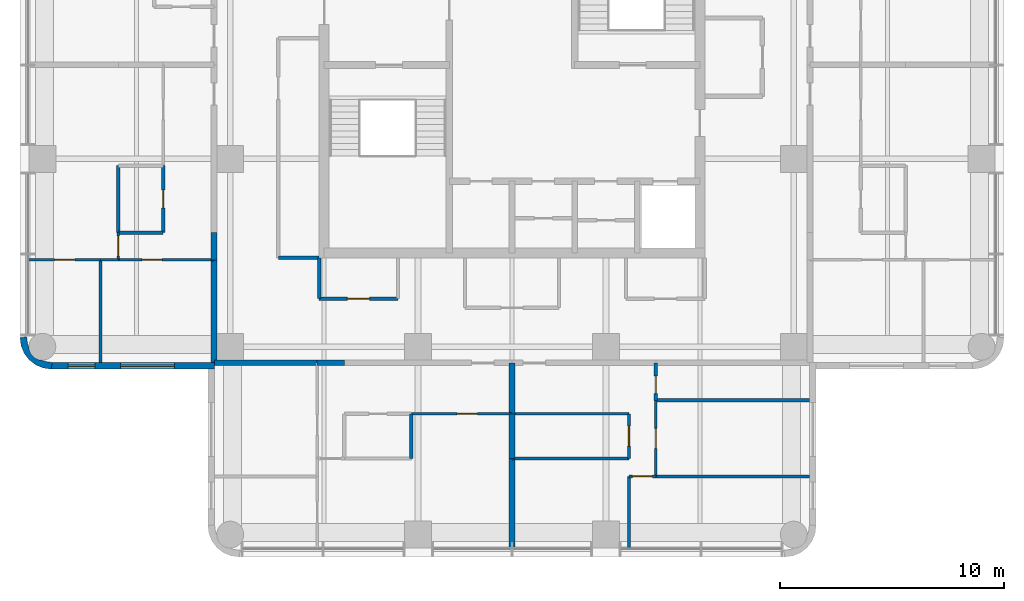
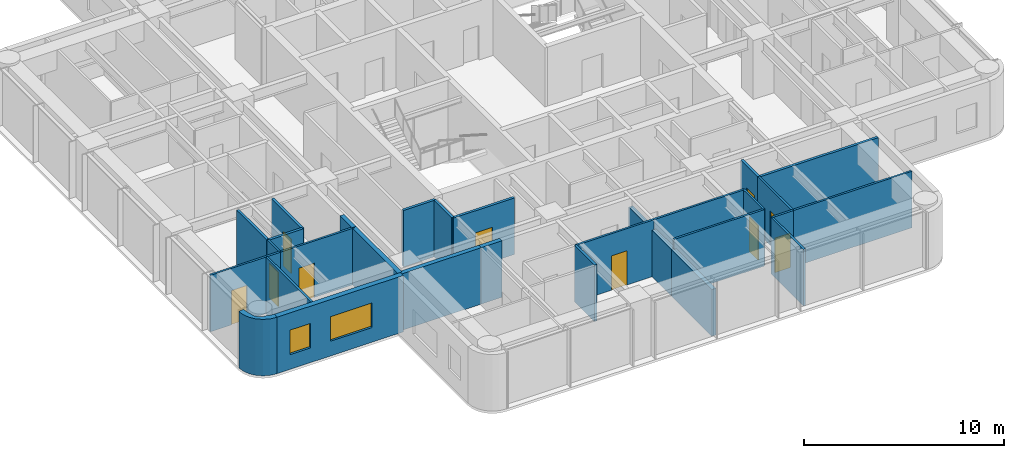
# One storey, part 4 of 10: 31 walls, 10 doors, 2 windows, 12 openings.
"""IFC4 building model written with IfcOpenShell, lengths in metres."""

from ifc_helpers import new_model, si_unit, direction, frame, frame_2d, origin, place, context, subcontext, project, spatial, polyline, rectangle, outline, extrude, material, layer, layer_set, type_object, element, fill, save


model = new_model("IFC4")

# Units and contexts
model_context = context("Model", 3, precision=1e-05, world=origin(), true_north=direction((0.0, 1.0)))
body_context = subcontext(model_context, "Body", "Model", "MODEL_VIEW")
ifc_project = project(units=[si_unit("LENGTHUNIT", "METRE"), si_unit("AREAUNIT", "SQUARE_METRE"), si_unit("VOLUMEUNIT", "CUBIC_METRE"), si_unit("PLANEANGLEUNIT", "RADIAN"), si_unit("MASSUNIT", "GRAM", prefix="KILO")], contexts=[model_context])

# Site, building, storey
site_placement = place(None, origin())
site = spatial("IfcSite", under=ifc_project, at=site_placement, CompositionType="ELEMENT")
building_placement = place(site_placement, origin())
building = spatial("IfcBuilding", under=site, at=building_placement, Name="Torre Alcanfor", CompositionType="ELEMENT")
storey_placement = place(building_placement, frame((0.0, 0.0, 293.699951171875)))
storey = spatial("IfcBuildingStorey", under=building, at=storey_placement, Name="L77", CompositionType="ELEMENT", Elevation=293.699951171875)

# Walls
ifc_material_1 = material(Name="Concrete block masonry, hollow blocks NMX-C-404 9 MPa", Category="masonry")
ifc_layer_1 = layer(ifc_material_1, 0.25)
ifc_layer_set_1 = layer_set([ifc_layer_1], Name="Apartment entrance wall 250 EI 60")
wall_type_1 = type_object("IfcWallType", Name="Apartment entrance wall 250 EI 60", PredefinedType="PARTITIONING", material=ifc_layer_set_1)
wall_1_placement = place(storey_placement, frame((21.89990234375, 16.074951171875, 0.0), z_axis=(0.0, 0.0, 1.0), x_axis=(-1.0, 0.0, 0.0)))
element("IfcWall", 1, at=wall_1_placement, inside=storey, type_object=wall_type_1, Name="Partition L77-CORR / L77-S2-HALL", PredefinedType="PARTITIONING", context=body_context, shape_type="SweptSolid", body=[
    extrude(rectangle(XDim=1.2138671875, YDim=0.25, at=frame_2d((0.60693359375, 0.0))), origin(), (0.0, 0.0, 1.0), 3.449951171875),
])
wall_2_placement = place(storey_placement, frame((20.68603515625, 16.074951171875, 0.0), z_axis=(0.0, 0.0, 1.0), x_axis=(-1.0, 0.0, 0.0)))
element("IfcWall", 2, at=wall_2_placement, inside=storey, type_object=wall_type_1, Name="Partition L77-CORR / L77-S2-MASTER", PredefinedType="PARTITIONING", context=body_context, shape_type="SweptSolid", body=[
    extrude(rectangle(XDim=4.5859375, YDim=0.25, at=frame_2d((2.29296875, 0.0))), origin(), (0.0, 0.0, 1.0), 3.449951171875),
])
wall_3_placement = place(storey_placement, frame((16.074951171875, 20.68603515625, 0.0), z_axis=(0.0, 0.0, 1.0), x_axis=(0.0, 1.0, 0.0)))
element("IfcWall", 3, at=wall_3_placement, inside=storey, type_object=wall_type_1, Name="Partition L77-CORR / L77-W1-HALL", PredefinedType="PARTITIONING", context=body_context, shape_type="SweptSolid", body=[
    extrude(rectangle(XDim=1.2138671875, YDim=0.25, at=frame_2d((0.60693359375, 0.0))), origin(), (0.0, 0.0, 1.0), 3.449951171875),
])
wall_4_placement = place(storey_placement, frame((16.074951171875, 16.10009765625, 0.0), z_axis=(0.0, 0.0, 1.0), x_axis=(0.0, 1.0, 0.0)))
element("IfcWall", 4, at=wall_4_placement, inside=storey, type_object=wall_type_1, Name="Partition L77-CORR / L77-W1-MASTER", PredefinedType="PARTITIONING", context=body_context, shape_type="SweptSolid", body=[
    extrude(rectangle(XDim=4.5859375, YDim=0.25, at=frame_2d((2.29296875, 0.0))), origin(), (0.0, 0.0, 1.0), 3.449951171875),
])
ifc_material_2 = material(Name="Gypsum board on steel studs", Category="steel")
ifc_layer_2 = layer(ifc_material_2, 0.1201171875)
ifc_layer_set_2 = layer_set([ifc_layer_2], Name="Apartment partition 120")
wall_type_2 = type_object("IfcWallType", Name="Apartment partition 120", PredefinedType="PARTITIONING", material=ifc_layer_set_2)
wall_5_placement = place(storey_placement, frame((29.39990234375, 11.800048828125, 0.0), z_axis=(0.0, 0.0, 1.0), x_axis=(1.0, 0.0, 0.0)))
element("IfcWall", 5, at=wall_5_placement, inside=storey, type_object=wall_type_2, Name="Partition L77-S1-KITCHEN / L77-S1-LIVING", PredefinedType="PARTITIONING", context=body_context, shape_type="SweptSolid", body=[
    extrude(rectangle(XDim=5.22900390625, YDim=0.1201171875, at=frame_2d((2.614501953125, 0.0))), origin(), (0.0, 0.0, 1.0), 3.449951171875),
])

# Wall, opening, door
wall_6_placement = place(storey_placement, frame((34.62890625, 11.800048828125, 0.0), z_axis=(0.0, 0.0, 1.0), x_axis=(0.0, 1.0, 0.0)))
wall_6 = element("IfcWall", 6, at=wall_6_placement, inside=storey, type_object=wall_type_2, Name="Partition L77-S1-KITCHEN / L77-S1-LIVING", PredefinedType="PARTITIONING", context=body_context, shape_type="SweptSolid", body=[
    extrude(rectangle(XDim=2.0, YDim=0.1201171875, at=frame_2d((1.0, 0.0))), origin(), (0.0, 0.0, 1.0), 3.449951171875),
])
opening_1_placement = place(wall_6_placement, frame((0.550048828125, 0.0, 0.0)))
opening_1 = element("IfcOpeningElement", 7, at=opening_1_placement, cuts=wall_6, Name="Opening D-R1", PredefinedType="OPENING", context=body_context, shape_type="SweptSolid", body=[
    extrude(rectangle(XDim=0.89990234375, YDim=2.10009765625, at=frame_2d((0.449951171875, 1.050048828125))), frame((0.0, 0.070068359375, 0.0), z_axis=(0.0, -1.0, 0.0), x_axis=(1.0, 0.0, 0.0)), (0.0, 0.0, 1.0), 0.14013671875),
])
ifc_material_3 = material(Name="Timber", Category="wood")
door_type_1 = type_object("IfcDoorType", Name="Internal door 900x2100", OperationType="SINGLE_SWING_LEFT", PredefinedType="DOOR", material=ifc_material_3)
door_1_placement = place(opening_1_placement, origin())
door_1 = element("IfcDoor", 8, at=door_1_placement, inside=storey, type_object=door_type_1, Name="Door L77-S1 kitchen", OperationType="SINGLE_SWING_LEFT", OverallHeight=2.10009765625, OverallWidth=0.89990234375, PredefinedType="DOOR", context=body_context, shape_type="SweptSolid", body=[
    extrude(rectangle(XDim=0.89990234375, YDim=2.10009765625, at=frame_2d((0.449951171875, 1.050048828125))), frame((0.0, 0.02490234375, 0.0), z_axis=(0.0, -1.0, 0.0), x_axis=(1.0, 0.0, 0.0)), (0.0, 0.0, 1.0), 0.050048828125),
])
fill(opening_1, door_1)

# Wall
wall_7_placement = place(storey_placement, frame((34.62890625, 13.800048828125, 0.0), z_axis=(0.0, 0.0, 1.0), x_axis=(-1.0, 0.0, 0.0)))
element("IfcWall", 9, at=wall_7_placement, inside=storey, type_object=wall_type_2, Name="Partition L77-S1-KITCHEN / L77-S1-LIVING", PredefinedType="PARTITIONING", context=body_context, shape_type="SweptSolid", body=[
    extrude(rectangle(XDim=5.22900390625, YDim=0.1201171875, at=frame_2d((2.614501953125, 0.0))), origin(), (0.0, 0.0, 1.0), 3.449951171875),
])

# Wall, opening, door
wall_8_placement = place(storey_placement, frame((35.8291015625, 14.39990234375, 0.0), z_axis=(0.0, 0.0, 1.0), x_axis=(0.0, -1.0, 0.0)))
wall_8 = element("IfcWall", 10, at=wall_8_placement, inside=storey, type_object=wall_type_2, Name="Partition L77-S1-LIVING / L77-S1-STUDY", PredefinedType="PARTITIONING", context=body_context, shape_type="SweptSolid", body=[
    extrude(rectangle(XDim=3.39990234375, YDim=0.1201171875, at=frame_2d((1.699951171875, 0.0))), origin(), (0.0, 0.0, 1.0), 3.449951171875),
])
opening_2_placement = place(wall_8_placement, frame((1.25, 0.0, 0.0)))
opening_2 = element("IfcOpeningElement", 11, at=opening_2_placement, cuts=wall_8, Name="Opening D-R1", PredefinedType="OPENING", context=body_context, shape_type="SweptSolid", body=[
    extrude(rectangle(XDim=0.89990234375, YDim=2.10009765625, at=frame_2d((0.449951171875, 1.050048828125))), frame((0.0, 0.070068359375, 0.0), z_axis=(0.0, -1.0, 0.0), x_axis=(1.0, 0.0, 0.0)), (0.0, 0.0, 1.0), 0.14013671875),
])
door_2_placement = place(opening_2_placement, origin())
door_2 = element("IfcDoor", 12, at=door_2_placement, inside=storey, type_object=door_type_1, Name="Door L77-S1 study", OperationType="SINGLE_SWING_LEFT", OverallHeight=2.10009765625, OverallWidth=0.89990234375, PredefinedType="DOOR", context=body_context, shape_type="SweptSolid", body=[
    extrude(rectangle(XDim=0.89990234375, YDim=2.10009765625, at=frame_2d((0.449951171875, 1.050048828125))), frame((0.0, 0.02490234375, 0.0), z_axis=(0.0, -1.0, 0.0), x_axis=(1.0, 0.0, 0.0)), (0.0, 0.0, 1.0), 0.050048828125),
])
fill(opening_2, door_2)

wall_9_placement = place(storey_placement, frame((35.8291015625, 11.0, 0.0), z_axis=(0.0, 0.0, 1.0), x_axis=(-1.0, 0.0, 0.0)))
wall_9 = element("IfcWall", 13, at=wall_9_placement, inside=storey, type_object=wall_type_2, Name="Partition L77-S1-LIVING / L77-S1-MASTER", PredefinedType="PARTITIONING", context=body_context, shape_type="SweptSolid", body=[
    extrude(rectangle(XDim=1.2001953125, YDim=0.1201171875, at=frame_2d((0.60009765625, 0.0))), origin(), (0.0, 0.0, 1.0), 3.449951171875),
])
opening_3_placement = place(wall_9_placement, frame((0.14892578125, 0.0, 0.0)))
opening_3 = element("IfcOpeningElement", 14, at=opening_3_placement, cuts=wall_9, Name="Opening D-R1", PredefinedType="OPENING", context=body_context, shape_type="SweptSolid", body=[
    extrude(rectangle(XDim=0.89990234375, YDim=2.10009765625, at=frame_2d((0.449951171875, 1.050048828125))), frame((0.0, 0.070068359375, 0.0), z_axis=(0.0, -1.0, 0.0), x_axis=(1.0, 0.0, 0.0)), (0.0, 0.0, 1.0), 0.14013671875),
])
door_3_placement = place(opening_3_placement, origin())
door_3 = element("IfcDoor", 15, at=door_3_placement, inside=storey, type_object=door_type_1, Name="Door L77-S1 master", OperationType="SINGLE_SWING_RIGHT", OverallHeight=2.10009765625, OverallWidth=0.89990234375, PredefinedType="DOOR", context=body_context, shape_type="SweptSolid", body=[
    extrude(rectangle(XDim=0.89990234375, YDim=2.10009765625, at=frame_2d((0.449951171875, 1.050048828125))), frame((0.0, 0.02490234375, 0.0), z_axis=(0.0, -1.0, 0.0), x_axis=(1.0, 0.0, 0.0)), (0.0, 0.0, 1.0), 0.050048828125),
])
fill(opening_3, door_3)

# Walls
wall_10_placement = place(storey_placement, frame((34.62890625, 11.0, 0.0), z_axis=(0.0, 0.0, 1.0), x_axis=(0.0, -1.0, 0.0)))
element("IfcWall", 16, at=wall_10_placement, inside=storey, type_object=wall_type_2, Name="Partition L77-S1-LIVING / L77-S1-MASTER", PredefinedType="PARTITIONING", context=body_context, shape_type="SweptSolid", body=[
    extrude(rectangle(XDim=3.25, YDim=0.1201171875, at=frame_2d((1.625, 0.0))), origin(), (0.0, 0.0, 1.0), 3.449951171875),
])
wall_11_placement = place(storey_placement, frame((35.8291015625, 11.0, 0.0), z_axis=(0.0, 0.0, 1.0), x_axis=(1.0, 0.0, 0.0)))
element("IfcWall", 17, at=wall_11_placement, inside=storey, type_object=wall_type_2, Name="Partition L77-S1-STUDY / L77-S1-MASTER", PredefinedType="PARTITIONING", context=body_context, shape_type="SweptSolid", body=[
    extrude(rectangle(XDim=6.870849609375, YDim=0.1201171875, at=frame_2d((3.435546875, 0.0))), origin(), (0.0, 0.0, 1.0), 3.449951171875),
])

# Wall, opening, door
wall_12_placement = place(storey_placement, frame((29.39990234375, 13.800048828125, 0.0), z_axis=(0.0, 0.0, 1.0), x_axis=(-1.0, 0.0, 0.0)))
wall_12 = element("IfcWall", 18, at=wall_12_placement, inside=storey, type_object=wall_type_2, Name="Partition L77-S2-ZAG / L77-S2-KITCHEN", PredefinedType="PARTITIONING", context=body_context, shape_type="SweptSolid", body=[
    extrude(rectangle(XDim=4.5, YDim=0.1201171875, at=frame_2d((2.25, 0.0))), origin(), (0.0, 0.0, 1.0), 3.449951171875),
])
opening_4_placement = place(wall_12_placement, frame((1.550048828125, 0.0, 0.0)))
opening_4 = element("IfcOpeningElement", 19, at=opening_4_placement, cuts=wall_12, Name="Opening D-R1", PredefinedType="OPENING", context=body_context, shape_type="SweptSolid", body=[
    extrude(rectangle(XDim=0.89990234375, YDim=2.10009765625, at=frame_2d((0.449951171875, 1.050048828125))), frame((0.0, 0.070068359375, 0.0), z_axis=(0.0, -1.0, 0.0), x_axis=(1.0, 0.0, 0.0)), (0.0, 0.0, 1.0), 0.14013671875),
])
door_4_placement = place(opening_4_placement, origin())
door_4 = element("IfcDoor", 20, at=door_4_placement, inside=storey, type_object=door_type_1, Name="Door L77-S2 kitchen", OperationType="SINGLE_SWING_LEFT", OverallHeight=2.10009765625, OverallWidth=0.89990234375, PredefinedType="DOOR", context=body_context, shape_type="SweptSolid", body=[
    extrude(rectangle(XDim=0.89990234375, YDim=2.10009765625, at=frame_2d((0.449951171875, 1.050048828125))), frame((0.0, 0.02490234375, 0.0), z_axis=(0.0, -1.0, 0.0), x_axis=(1.0, 0.0, 0.0)), (0.0, 0.0, 1.0), 0.050048828125),
])
fill(opening_4, door_4)

wall_13_placement = place(storey_placement, frame((11.800048828125, 21.89990234375, 0.0), z_axis=(0.0, 0.0, 1.0), x_axis=(0.0, -1.0, 0.0)))
wall_13 = element("IfcWall", 21, at=wall_13_placement, inside=storey, type_object=wall_type_2, Name="Partition L77-W1-HALL / L77-W1-LIVING", PredefinedType="PARTITIONING", context=body_context, shape_type="SweptSolid", body=[
    extrude(rectangle(XDim=1.2138671875, YDim=0.1201171875, at=frame_2d((0.60693359375, 0.0))), origin(), (0.0, 0.0, 1.0), 3.449951171875),
])
opening_5_placement = place(wall_13_placement, frame((0.14990234375, 0.0, 0.0)))
opening_5 = element("IfcOpeningElement", 22, at=opening_5_placement, cuts=wall_13, Name="Opening D-R1", PredefinedType="OPENING", context=body_context, shape_type="SweptSolid", body=[
    extrude(rectangle(XDim=0.89990234375, YDim=2.10009765625, at=frame_2d((0.449951171875, 1.050048828125))), frame((0.0, 0.070068359375, 0.0), z_axis=(0.0, -1.0, 0.0), x_axis=(1.0, 0.0, 0.0)), (0.0, 0.0, 1.0), 0.14013671875),
])
door_5_placement = place(opening_5_placement, frame((0.89990234375, 0.0, 0.0), z_axis=(0.0, 0.0, 1.0), x_axis=(-1.0, 0.0, 0.0)))
door_5 = element("IfcDoor", 23, at=door_5_placement, inside=storey, type_object=door_type_1, Name="Door L77-W1 living", OperationType="SINGLE_SWING_LEFT", OverallHeight=2.10009765625, OverallWidth=0.89990234375, PredefinedType="DOOR", context=body_context, shape_type="SweptSolid", body=[
    extrude(rectangle(XDim=0.89990234375, YDim=2.10009765625, at=frame_2d((0.449951171875, 1.050048828125))), frame((0.0, 0.025146484375, 0.0), z_axis=(0.0, -1.0, 0.0), x_axis=(1.0, 0.0, 0.0)), (0.0, 0.0, 1.0), 0.050048828125),
])
fill(opening_5, door_5)

wall_14_placement = place(storey_placement, frame((11.800048828125, 20.68603515625, 0.0), z_axis=(0.0, 0.0, 1.0), x_axis=(1.0, 0.0, 0.0)))
wall_14 = element("IfcWall", 24, at=wall_14_placement, inside=storey, type_object=wall_type_2, Name="Partition L77-W1-HALL / L77-W1-MASTER", PredefinedType="PARTITIONING", context=body_context, shape_type="SweptSolid", body=[
    extrude(rectangle(XDim=4.27490234375, YDim=0.1201171875, at=frame_2d((2.137451171875, 0.0))), origin(), (0.0, 0.0, 1.0), 3.449951171875),
])
opening_6_placement = place(wall_14_placement, frame((1.050048828125, 0.0, 0.0)))
opening_6 = element("IfcOpeningElement", 25, at=opening_6_placement, cuts=wall_14, Name="Opening D-R1", PredefinedType="OPENING", context=body_context, shape_type="SweptSolid", body=[
    extrude(rectangle(XDim=0.89990234375, YDim=2.10009765625, at=frame_2d((0.449951171875, 1.050048828125))), frame((0.0, 0.070068359375, 0.0), z_axis=(0.0, -1.0, 0.0), x_axis=(1.0, 0.0, 0.0)), (0.0, 0.0, 1.0), 0.14013671875),
])
door_6_placement = place(opening_6_placement, frame((0.89990234375, 0.0, 0.0), z_axis=(0.0, 0.0, 1.0), x_axis=(-1.0, 0.0, 0.0)))
door_6 = element("IfcDoor", 26, at=door_6_placement, inside=storey, type_object=door_type_1, Name="Door L77-W1 master", OperationType="SINGLE_SWING_RIGHT", OverallHeight=2.10009765625, OverallWidth=0.89990234375, PredefinedType="DOOR", context=body_context, shape_type="SweptSolid", body=[
    extrude(rectangle(XDim=0.89990234375, YDim=2.10009765625, at=frame_2d((0.449951171875, 1.050048828125))), frame((0.0, 0.025146484375, 0.0), z_axis=(0.0, -1.0, 0.0), x_axis=(1.0, 0.0, 0.0)), (0.0, 0.0, 1.0), 0.050048828125),
])
fill(opening_6, door_6)

# Wall
wall_15_placement = place(storey_placement, frame((11.0, 20.68603515625, 0.0), z_axis=(0.0, 0.0, 1.0), x_axis=(1.0, 0.0, 0.0)))
element("IfcWall", 27, at=wall_15_placement, inside=storey, type_object=wall_type_2, Name="Partition L77-W1-LIVING / L77-W1-MASTER", PredefinedType="PARTITIONING", context=body_context, shape_type="SweptSolid", body=[
    extrude(rectangle(XDim=0.800048828125, YDim=0.1201171875, at=frame_2d((0.39990234375, 0.0))), origin(), (0.0, 0.0, 1.0), 3.449951171875),
])

# Wall, opening, door
wall_16_placement = place(storey_placement, frame((7.75, 20.68603515625, 0.0), z_axis=(0.0, 0.0, 1.0), x_axis=(1.0, 0.0, 0.0)))
wall_16 = element("IfcWall", 28, at=wall_16_placement, inside=storey, type_object=wall_type_2, Name="Partition L77-W1-LIVING / L77-W1-BED2", PredefinedType="PARTITIONING", context=body_context, shape_type="SweptSolid", body=[
    extrude(rectangle(XDim=3.25, YDim=0.1201171875, at=frame_2d((1.625, 0.0))), origin(), (0.0, 0.0, 1.0), 3.449951171875),
])
opening_7_placement = place(wall_16_placement, frame((1.199951171875, 0.0, 0.0)))
opening_7 = element("IfcOpeningElement", 29, at=opening_7_placement, cuts=wall_16, Name="Opening D-R1", PredefinedType="OPENING", context=body_context, shape_type="SweptSolid", body=[
    extrude(rectangle(XDim=0.89990234375, YDim=2.10009765625, at=frame_2d((0.449951171875, 1.050048828125))), frame((0.0, 0.070068359375, 0.0), z_axis=(0.0, -1.0, 0.0), x_axis=(1.0, 0.0, 0.0)), (0.0, 0.0, 1.0), 0.14013671875),
])
door_7_placement = place(opening_7_placement, frame((0.89990234375, 0.0, 0.0), z_axis=(0.0, 0.0, 1.0), x_axis=(-1.0, 0.0, 0.0)))
door_7 = element("IfcDoor", 30, at=door_7_placement, inside=storey, type_object=door_type_1, Name="Door L77-W1 bed2", OperationType="SINGLE_SWING_LEFT", OverallHeight=2.10009765625, OverallWidth=0.89990234375, PredefinedType="DOOR", context=body_context, shape_type="SweptSolid", body=[
    extrude(rectangle(XDim=0.89990234375, YDim=2.10009765625, at=frame_2d((0.449951171875, 1.050048828125))), frame((0.0, 0.025146484375, 0.0), z_axis=(0.0, -1.0, 0.0), x_axis=(1.0, 0.0, 0.0)), (0.0, 0.0, 1.0), 0.050048828125),
])
fill(opening_7, door_7)

# Wall
wall_17_placement = place(storey_placement, frame((11.0, 20.68603515625, 0.0), z_axis=(0.0, 0.0, 1.0), x_axis=(0.0, -1.0, 0.0)))
element("IfcWall", 31, at=wall_17_placement, inside=storey, type_object=wall_type_2, Name="Partition L77-W1-MASTER / L77-W1-BED2", PredefinedType="PARTITIONING", context=body_context, shape_type="SweptSolid", body=[
    extrude(rectangle(XDim=4.5859375, YDim=0.1201171875, at=frame_2d((2.29296875, 0.0))), origin(), (0.0, 0.0, 1.0), 3.449951171875),
])

# Wall, openings, windows
ifc_material_4 = material(Name="Limestone cladding", Category="masonry")
ifc_layer_3 = layer(ifc_material_4, 0.0400390625, Name="Facing")
ifc_material_5 = material(Name="Ventilated air cavity")
ifc_layer_4 = layer(ifc_material_5, 0.02001953125, ventilated=True, Name="Ventilated joint")
ifc_material_6 = material(Name="Mineral wool insulation", Category="insulation")
ifc_layer_5 = layer(ifc_material_6, 0.10009765625, Name="Insulation")
ifc_material_7 = material(Name="Concrete f'c 35 MPa", Category="concrete")
ifc_layer_6 = layer(ifc_material_7, 0.139892578125, Name="Backing")
ifc_layer_set_3 = layer_set([ifc_layer_3, ifc_layer_4, ifc_layer_5, ifc_layer_6], Name="External wall stone-clad 300")
wall_type_3 = type_object("IfcWallType", Name="External wall stone-clad 300", PredefinedType="SOLIDWALL", material=ifc_layer_set_3)
wall_18_placement = place(storey_placement, frame((8.800048828125, 15.949951171875, 0.0), z_axis=(0.0, 0.0, 1.0), x_axis=(1.0, 0.0, 0.0)))
wall_18 = element("IfcWall", 32, at=wall_18_placement, inside=storey, type_object=wall_type_3, Name="External wall L77 3", PredefinedType="SOLIDWALL", context=body_context, shape_type="SweptSolid", body=[
    extrude(rectangle(XDim=7.300048828125, YDim=0.300048828125, at=frame_2d((3.64990234375, 0.0))), origin(), (0.0, 0.0, 1.0), 3.449951171875),
])
opening_8_placement = place(wall_18_placement, frame((3.10009765625, 0.0, 0.89990234375)))
opening_8 = element("IfcOpeningElement", 33, at=opening_8_placement, cuts=wall_18, Name="Opening W1", PredefinedType="OPENING", context=body_context, shape_type="SweptSolid", body=[
    extrude(rectangle(XDim=2.39990234375, YDim=1.5, at=frame_2d((1.199951171875, 0.75))), frame((0.0, 0.159912109375, 0.0), z_axis=(0.0, -1.0, 0.0), x_axis=(1.0, 0.0, 0.0)), (0.0, 0.0, 1.0), 0.320068359375),
])
opening_9_placement = place(wall_18_placement, frame((0.75, 0.0, 0.89990234375)))
opening_9 = element("IfcOpeningElement", 34, at=opening_9_placement, cuts=wall_18, Name="Opening W4", PredefinedType="OPENING", context=body_context, shape_type="SweptSolid", body=[
    extrude(rectangle(XDim=1.199951171875, YDim=1.5, at=frame_2d((0.60009765625, 0.75))), frame((0.0, 0.159912109375, 0.0), z_axis=(0.0, -1.0, 0.0), x_axis=(1.0, 0.0, 0.0)), (0.0, 0.0, 1.0), 0.320068359375),
])
ifc_material_8 = material(Name="Aluminium frame with clear double glazing", Category="aluminium")
window_type_1 = type_object("IfcWindowType", Name="Window bedroom 1200x1500", PartitioningType="SINGLE_PANEL", PredefinedType="WINDOW", material=ifc_material_8)
window_1_placement = place(opening_9_placement, origin())
window_1 = element("IfcWindow", 35, at=window_1_placement, inside=storey, type_object=window_type_1, Name="Window W4 L77-W1", OverallHeight=1.5, OverallWidth=1.199951171875, PartitioningType="SINGLE_PANEL", PredefinedType="WINDOW", context=body_context, shape_type="SweptSolid", body=[
    extrude(rectangle(XDim=1.199951171875, YDim=1.5, at=frame_2d((0.60009765625, 0.75))), frame((0.0, 0.030029296875, 0.0), z_axis=(0.0, -1.0, 0.0), x_axis=(1.0, 0.0, 0.0)), (0.0, 0.0, 1.0), 0.06005859375),
])
fill(opening_9, window_1)
ifc_material_9 = material(Name="Aluminium frame with clear double glazing", Category="aluminium")
window_type_2 = type_object("IfcWindowType", Name="Window bedroom 2400x1500", PartitioningType="SINGLE_PANEL", PredefinedType="WINDOW", material=ifc_material_9)
window_2_placement = place(opening_8_placement, origin())
window_2 = element("IfcWindow", 36, at=window_2_placement, inside=storey, type_object=window_type_2, Name="Window W1 L77-W1", OverallHeight=1.5, OverallWidth=2.39990234375, PartitioningType="SINGLE_PANEL", PredefinedType="WINDOW", context=body_context, shape_type="SweptSolid", body=[
    extrude(rectangle(XDim=2.39990234375, YDim=1.5, at=frame_2d((1.199951171875, 0.75))), frame((0.0, 0.030029296875, 0.0), z_axis=(0.0, -1.0, 0.0), x_axis=(1.0, 0.0, 0.0)), (0.0, 0.0, 1.0), 0.06005859375),
])
fill(opening_8, window_2)

# Walls
ifc_material_10 = material(Name="Concrete block masonry, hollow blocks NMX-C-404 9 MPa", Category="masonry")
ifc_layer_7 = layer(ifc_material_10, 0.25)
ifc_layer_set_4 = layer_set([ifc_layer_7], Name="Party wall 250 EI 60")
wall_type_4 = type_object("IfcWallType", Name="Party wall 250 EI 60", PredefinedType="PARTITIONING", material=ifc_layer_set_4)
wall_19_placement = place(storey_placement, frame((29.39990234375, 13.800048828125, 0.0), z_axis=(0.0, 0.0, 1.0), x_axis=(0.0, -1.0, 0.0)))
element("IfcWall", 37, at=wall_19_placement, inside=storey, type_object=wall_type_4, Name="Partition L77-S1-KITCHEN / L77-S2-KITCHEN", PredefinedType="PARTITIONING", context=body_context, shape_type="SweptSolid", body=[
    extrude(rectangle(XDim=2.0, YDim=0.25, at=frame_2d((1.0, 0.0))), origin(), (0.0, 0.0, 1.0), 2.84814453125),
])
wall_20_placement = place(storey_placement, frame((29.39990234375, 13.800048828125, 0.0), z_axis=(0.0, 0.0, 1.0), x_axis=(0.0, 1.0, 0.0)))
element("IfcWall", 38, at=wall_20_placement, inside=storey, type_object=wall_type_4, Name="Partition L77-S1-LIVING / L77-S2-ZAG", PredefinedType="PARTITIONING", context=body_context, shape_type="SweptSolid", body=[
    extrude(rectangle(XDim=2.27490234375, YDim=0.25, at=frame_2d((1.137451171875, 0.0))), origin(), (0.0, 0.0, 1.0), 2.84814453125),
])
wall_21_placement = place(storey_placement, frame((29.39990234375, 7.75, 0.0), z_axis=(0.0, 0.0, 1.0), x_axis=(0.0, 1.0, 0.0)))
element("IfcWall", 39, at=wall_21_placement, inside=storey, type_object=wall_type_4, Name="Partition L77-S1-LIVING / L77-S2-LIVING", PredefinedType="PARTITIONING", context=body_context, shape_type="SweptSolid", body=[
    extrude(rectangle(XDim=4.050048828125, YDim=0.25, at=frame_2d((2.02490234375, 0.0))), origin(), (0.0, 0.0, 1.0), 2.84814453125),
])
ifc_material_11 = material(Name="Concrete block masonry, hollow blocks NMX-C-404 9 MPa", Category="masonry")
ifc_layer_8 = layer(ifc_material_11, 0.14990234375)
ifc_layer_set_5 = layer_set([ifc_layer_8], Name="Residents' room partition 150")
wall_type_5 = type_object("IfcWallType", Name="Residents' room partition 150", PredefinedType="PARTITIONING", material=ifc_layer_set_5)
wall_22_placement = place(storey_placement, frame((20.77490234375, 20.77490234375, 0.0), z_axis=(0.0, 0.0, 1.0), x_axis=(0.0, -1.0, 0.0)))
element("IfcWall", 40, at=wall_22_placement, inside=storey, type_object=wall_type_5, Name="Partition L77-CORR / L77-G05", PredefinedType="PARTITIONING", context=body_context, shape_type="SweptSolid", body=[
    extrude(rectangle(XDim=1.824951171875, YDim=0.14990234375, at=frame_2d((0.91259765625, 0.0))), origin(), (0.0, 0.0, 1.0), 3.449951171875),
])

# Wall, opening, door
wall_23_placement = place(storey_placement, frame((20.77490234375, 18.949951171875, 0.0), z_axis=(0.0, 0.0, 1.0), x_axis=(1.0, 0.0, 0.0)))
wall_23 = element("IfcWall", 41, at=wall_23_placement, inside=storey, type_object=wall_type_5, Name="Partition L77-CORR / L77-G05", PredefinedType="PARTITIONING", context=body_context, shape_type="SweptSolid", body=[
    extrude(rectangle(XDim=3.525146484375, YDim=0.14990234375, at=frame_2d((1.7626953125, 0.0))), origin(), (0.0, 0.0, 1.0), 3.449951171875),
])
opening_10_placement = place(wall_23_placement, frame((1.262451171875, 0.0, 0.0)))
opening_10 = element("IfcOpeningElement", 42, at=opening_10_placement, cuts=wall_23, Name="Opening D-M1", PredefinedType="OPENING", context=body_context, shape_type="SweptSolid", body=[
    extrude(rectangle(XDim=1.0, YDim=2.10009765625, at=frame_2d((0.5, 1.050048828125))), frame((0.0, 0.0849609375, 0.0), z_axis=(0.0, -1.0, 0.0), x_axis=(1.0, 0.0, 0.0)), (0.0, 0.0, 1.0), 0.169921875),
])
ifc_material_12 = material(Name="Timber", Category="wood")
door_type_2 = type_object("IfcDoorType", Name="Residents' room door 1000x2100", OperationType="SINGLE_SWING_LEFT", PredefinedType="DOOR", material=ifc_material_12)
door_8_placement = place(opening_10_placement, origin())
door_8 = element("IfcDoor", 43, at=door_8_placement, inside=storey, type_object=door_type_2, Name="Door L77-G05 cleaners' store", OperationType="SINGLE_SWING_LEFT", OverallHeight=2.10009765625, OverallWidth=1.0, PredefinedType="DOOR", context=body_context, shape_type="SweptSolid", body=[
    extrude(rectangle(XDim=1.0, YDim=2.10009765625, at=frame_2d((0.5, 1.050048828125))), frame((0.0, 0.02490234375, 0.0), z_axis=(0.0, -1.0, 0.0), x_axis=(1.0, 0.0, 0.0)), (0.0, 0.0, 1.0), 0.050048828125),
])
fill(opening_10, door_8)

# Walls
wall_24_placement = place(storey_placement, frame((18.949951171875, 20.77490234375, 0.0), z_axis=(0.0, 0.0, 1.0), x_axis=(1.0, 0.0, 0.0)))
element("IfcWall", 44, at=wall_24_placement, inside=storey, type_object=wall_type_5, Name="Partition L77-CORR / L77-G08", PredefinedType="PARTITIONING", context=body_context, shape_type="SweptSolid", body=[
    extrude(rectangle(XDim=1.824951171875, YDim=0.14990234375, at=frame_2d((0.91259765625, 0.0))), origin(), (0.0, 0.0, 1.0), 3.449951171875),
])
ifc_layer_9 = layer(ifc_material_4, 0.0400390625, Name="Facing")
ifc_layer_10 = layer(ifc_material_5, 0.02001953125, ventilated=True, Name="Ventilated joint")
ifc_layer_11 = layer(ifc_material_6, 0.10009765625, Name="Insulation")
ifc_layer_12 = layer(ifc_material_7, 0.139892578125, Name="Backing")
ifc_layer_set_6 = layer_set([ifc_layer_9, ifc_layer_10, ifc_layer_11, ifc_layer_12], Name="Rounded corner pier stone-clad 300")
wall_type_6 = type_object("IfcWallType", Name="Rounded corner pier stone-clad 300", PredefinedType="SOLIDWALL", material=ifc_layer_set_6)
wall_25_placement = place(storey_placement, frame((7.824101883, 17.161581746, 0.0), z_axis=(0.0, 0.0, 1.0), x_axis=(-0.707106781187, -0.707106781187, 0.0)))
element("IfcWall", 45, at=wall_25_placement, inside=storey, type_object=wall_type_6, Name="Corner pier L77 14", PredefinedType="SOLIDWALL", context=body_context, shape_type="SweptSolid", body=[
    extrude(outline(polyline([(0.04667321568762184, 1.4544919802800873), (0.23311738650829356, 1.2117692912302127), (0.29215804060150635, 1.069174027250699), (0.3579314008632433, 1.0034006669889621), (0.4494271513585729, 0.7824297978681659), (0.4494271513585729, 0.5431597786483039), (0.35793140086324327, 0.322534176510509), (0.2921580406015063, 0.256760816248772), (0.23311738650829356, 0.11416555226925829), (0.046673215687621845, -0.12890240376361745), (0.032689902876071465, -0.14288571657516783), (0.2728230895534366, -0.32708565200633144), (0.4951750266062377, -0.037061386285286546), (0.6350081547217414, 0.30060972308993), (0.6826549983759133, 0.6627947882582349), (0.6350081547217414, 1.025325120409541), (0.49517502660623774, 1.3629962297847575), (0.27265045606193605, 1.652847862014302), (0.03251726938457078, 1.4686479265831383), (0.04667321568762184, 1.4544919802800873)])), origin(), (0.0, 0.0, 1.0), 3.449951171875),
])

# Wall, opening, door
ifc_material_13 = material(Name="Cement board on steel studs", Category="steel")
ifc_layer_13 = layer(ifc_material_13, 0.14990234375)
ifc_layer_set_7 = layer_set([ifc_layer_13], Name="Wet area partition 150")
wall_type_7 = type_object("IfcWallType", Name="Wet area partition 150", PredefinedType="PARTITIONING", material=ifc_layer_set_7)
wall_26_placement = place(storey_placement, frame((35.8291015625, 16.074951171875, 0.0), z_axis=(0.0, 0.0, 1.0), x_axis=(0.0, -1.0, 0.0)))
wall_26 = element("IfcWall", 46, at=wall_26_placement, inside=storey, type_object=wall_type_7, Name="Partition L77-S1-LIVING / L77-S1-BATH", PredefinedType="PARTITIONING", context=body_context, shape_type="SweptSolid", body=[
    extrude(rectangle(XDim=1.675048828125, YDim=0.14990234375, at=frame_2d((0.83740234375, 0.0))), origin(), (0.0, 0.0, 1.0), 3.449951171875),
])
opening_11_placement = place(wall_26_placement, frame((0.574951171875, 0.0, 0.0)))
opening_11 = element("IfcOpeningElement", 47, at=opening_11_placement, cuts=wall_26, Name="Opening D-R2", PredefinedType="OPENING", context=body_context, shape_type="SweptSolid", body=[
    extrude(rectangle(XDim=0.800048828125, YDim=2.10009765625, at=frame_2d((0.39990234375, 1.050048828125))), frame((0.0, 0.0849609375, 0.0), z_axis=(0.0, -1.0, 0.0), x_axis=(1.0, 0.0, 0.0)), (0.0, 0.0, 1.0), 0.169921875),
])
ifc_material_14 = material(Name="Timber", Category="wood")
door_type_3 = type_object("IfcDoorType", Name="Bathroom door 800x2100", OperationType="SINGLE_SWING_LEFT", PredefinedType="DOOR", material=ifc_material_14)
door_9_placement = place(opening_11_placement, origin())
door_9 = element("IfcDoor", 48, at=door_9_placement, inside=storey, type_object=door_type_3, Name="Door L77-S1 bath", OperationType="SINGLE_SWING_RIGHT", OverallHeight=2.10009765625, OverallWidth=0.800048828125, PredefinedType="DOOR", context=body_context, shape_type="SweptSolid", body=[
    extrude(rectangle(XDim=0.800048828125, YDim=2.10009765625, at=frame_2d((0.39990234375, 1.050048828125))), frame((0.0, 0.02490234375, 0.0), z_axis=(0.0, -1.0, 0.0), x_axis=(1.0, 0.0, 0.0)), (0.0, 0.0, 1.0), 0.050048828125),
])
fill(opening_11, door_9)

# Walls
wall_27_placement = place(storey_placement, frame((35.8291015625, 14.39990234375, 0.0), z_axis=(0.0, 0.0, 1.0), x_axis=(1.0, 0.0, 0.0)))
element("IfcWall", 49, at=wall_27_placement, inside=storey, type_object=wall_type_7, Name="Partition L77-S1-BATH / L77-S1-STUDY", PredefinedType="PARTITIONING", context=body_context, shape_type="SweptSolid", body=[
    extrude(rectangle(XDim=6.870849609375, YDim=0.14990234375, at=frame_2d((3.435546875, 0.0))), origin(), (0.0, 0.0, 1.0), 3.449951171875),
])
wall_28_placement = place(storey_placement, frame((24.89990234375, 11.800048828125, 0.0), z_axis=(0.0, 0.0, 1.0), x_axis=(0.0, 1.0, 0.0)))
element("IfcWall", 50, at=wall_28_placement, inside=storey, type_object=wall_type_7, Name="Partition L77-S2-KITCHEN / L77-S2-BATH", PredefinedType="PARTITIONING", context=body_context, shape_type="SweptSolid", body=[
    extrude(rectangle(XDim=2.0, YDim=0.14990234375, at=frame_2d((1.0, 0.0))), origin(), (0.0, 0.0, 1.0), 3.449951171875),
])

# Wall, opening, door
wall_29_placement = place(storey_placement, frame((13.800048828125, 24.89990234375, 0.0), z_axis=(0.0, 0.0, 1.0), x_axis=(0.0, -1.0, 0.0)))
wall_29 = element("IfcWall", 51, at=wall_29_placement, inside=storey, type_object=wall_type_7, Name="Partition L77-W1-ZAG / L77-W1-BATH", PredefinedType="PARTITIONING", context=body_context, shape_type="SweptSolid", body=[
    extrude(rectangle(XDim=3.0, YDim=0.14990234375, at=frame_2d((1.5, 0.0))), origin(), (0.0, 0.0, 1.0), 3.449951171875),
])
opening_12_placement = place(wall_29_placement, frame((1.10009765625, 0.0, 0.0)))
opening_12 = element("IfcOpeningElement", 52, at=opening_12_placement, cuts=wall_29, Name="Opening D-R2", PredefinedType="OPENING", context=body_context, shape_type="SweptSolid", body=[
    extrude(rectangle(XDim=0.800048828125, YDim=2.10009765625, at=frame_2d((0.39990234375, 1.050048828125))), frame((0.0, 0.0849609375, 0.0), z_axis=(0.0, -1.0, 0.0), x_axis=(1.0, 0.0, 0.0)), (0.0, 0.0, 1.0), 0.169921875),
])
door_10_placement = place(opening_12_placement, frame((0.800048828125, 0.0, 0.0), z_axis=(0.0, 0.0, 1.0), x_axis=(-1.0, 0.0, 0.0)))
door_10 = element("IfcDoor", 53, at=door_10_placement, inside=storey, type_object=door_type_3, Name="Door L77-W1 bath", OperationType="SINGLE_SWING_RIGHT", OverallHeight=2.10009765625, OverallWidth=0.800048828125, PredefinedType="DOOR", context=body_context, shape_type="SweptSolid", body=[
    extrude(rectangle(XDim=0.800048828125, YDim=2.10009765625, at=frame_2d((0.400146484375, 1.050048828125))), frame((0.0, 0.025146484375, 0.0), z_axis=(0.0, -1.0, 0.0), x_axis=(1.0, 0.0, 0.0)), (0.0, 0.0, 1.0), 0.050048828125),
])
fill(opening_12, door_10)

# Walls
wall_30_placement = place(storey_placement, frame((11.800048828125, 21.89990234375, 0.0), z_axis=(0.0, 0.0, 1.0), x_axis=(1.0, 0.0, 0.0)))
element("IfcWall", 54, at=wall_30_placement, inside=storey, type_object=wall_type_7, Name="Partition L77-W1-BATH / L77-W1-HALL", PredefinedType="PARTITIONING", context=body_context, shape_type="SweptSolid", body=[
    extrude(rectangle(XDim=2.0, YDim=0.14990234375, at=frame_2d((1.0, 0.0))), origin(), (0.0, 0.0, 1.0), 3.449951171875),
])
wall_31_placement = place(storey_placement, frame((11.800048828125, 24.89990234375, 0.0), z_axis=(0.0, 0.0, 1.0), x_axis=(0.0, -1.0, 0.0)))
element("IfcWall", 55, at=wall_31_placement, inside=storey, type_object=wall_type_7, Name="Partition L77-W1-BATH / L77-W1-LIVING", PredefinedType="PARTITIONING", context=body_context, shape_type="SweptSolid", body=[
    extrude(rectangle(XDim=3.0, YDim=0.14990234375, at=frame_2d((1.5, 0.0))), origin(), (0.0, 0.0, 1.0), 3.449951171875),
])

save(model, "model.ifc")
